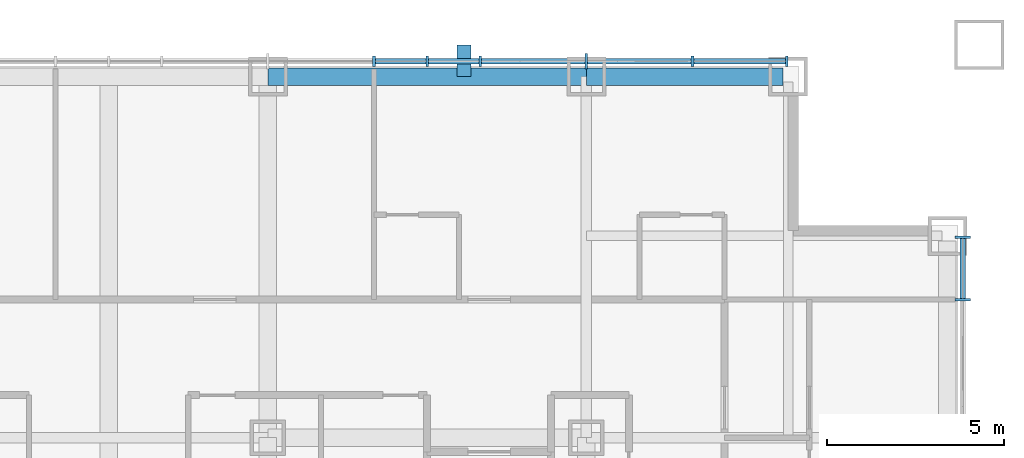
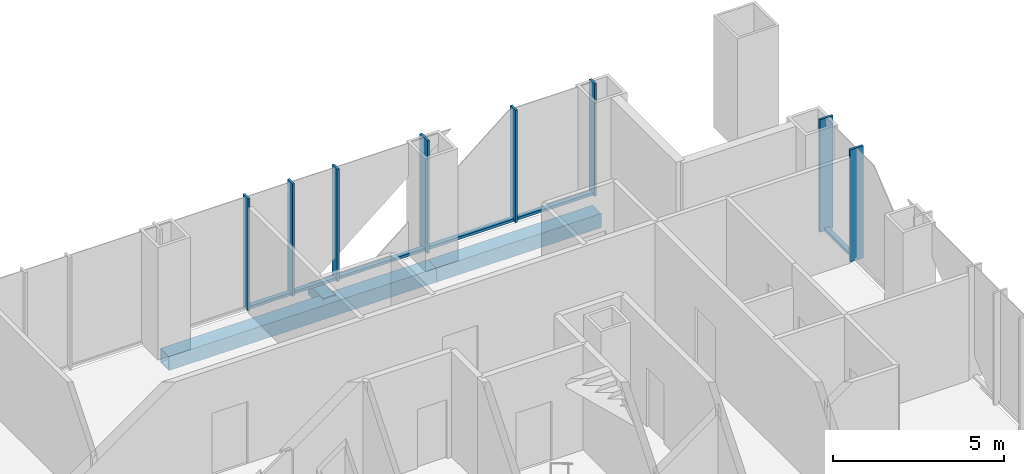
# One storey, part 6 of 14: 15 members, 2 beams, 2 elements without a shape of their own.
"""IFC4 building model written with IfcOpenShell, lengths in metres."""

from ifc_helpers import new_model, si_unit, direction, frame, origin, origin_2d, place, context, subcontext, project, spatial, rectangle, hollow_rectangle, extrude, material, layer, layer_set, material_profile, profile_set, type_object, element, aggregate, save


model = new_model("IFC4")

# Units and contexts
model_context = context("Model", 3, precision=1e-05, world=origin(), true_north=direction((0.0, 1.0)))
body_context = subcontext(model_context, "Body", "Model", "MODEL_VIEW")
ifc_project = project(units=[si_unit("LENGTHUNIT", "METRE"), si_unit("AREAUNIT", "SQUARE_METRE"), si_unit("VOLUMEUNIT", "CUBIC_METRE"), si_unit("PLANEANGLEUNIT", "RADIAN"), si_unit("MASSUNIT", "GRAM", prefix="KILO")], contexts=[model_context])

# Site, building, storey
site_placement = place(None, origin())
site = spatial("IfcSite", under=ifc_project, at=site_placement, CompositionType="ELEMENT")
building_placement = place(site_placement, origin())
building = spatial("IfcBuilding", under=site, at=building_placement, Name="Malebo Sky Hospital", CompositionType="ELEMENT")
storey_placement = place(building_placement, frame((0.0, 0.0, 128.0)))
storey = spatial("IfcBuildingStorey", under=building, at=storey_placement, Name="L30", CompositionType="ELEMENT", Elevation=128.0)

# Curtain wall, members
ifc_material_1 = material(Name="Anodised aluminium, natural silver", Category="aluminium")
ifc_layer_1 = layer(ifc_material_1, 0.25)
ifc_layer_set_1 = layer_set([ifc_layer_1], Name="WARD CURTAIN WALL NORTH AND SOUTH")
curtain_wall_type_1 = type_object("IfcCurtainWallType", Name="WARD CURTAIN WALL NORTH AND SOUTH", PredefinedType="NOTDEFINED", material=ifc_layer_set_1)
curtain_wall_1_placement = place(storey_placement, origin())
curtain_wall_1 = element("IfcCurtainWall", 1, at=curtain_wall_1_placement, inside=storey, type_object=curtain_wall_type_1, Name="NS curtain wall N", PredefinedType="NOTDEFINED")
ifc_material_profile_1 = material_profile(ifc_material_1, rectangle(XDim=0.14990234375, YDim=0.10009765625, at=origin_2d()), Name="ALUMINIUM TRANSOM 150x100")
ifc_profile_set_1 = profile_set([ifc_material_profile_1], Name="Anodised aluminium, natural silver")
member_type_1 = type_object("IfcMemberType", Name="ALUMINIUM TRANSOM 150x100", PredefinedType="USERDEFINED", material=ifc_profile_set_1)
member_1_placement = place(storey_placement, frame((67.53759765625, 86.135009765625, 0.050048828125), z_axis=(1.0, 0.0, 0.0), x_axis=(0.0, 1.0, 0.0)))
member_1 = element("IfcMember", 2, at=member_1_placement, type_object=member_type_1, Name="Transom 12", ObjectType="TRANSOM", PredefinedType="USERDEFINED", context=body_context, shape_type="SweptSolid", body=[
    extrude(rectangle(XDim=0.14990234375, YDim=0.10009765625, at=origin_2d()), origin(), (0.0, 0.0, 1.0), 1.4248046875),
])
member_2_placement = place(storey_placement, frame((69.03759765625, 86.135009765625, 0.050048828125), z_axis=(1.0, 0.0, 0.0), x_axis=(0.0, 1.0, 0.0)))
member_2 = element("IfcMember", 3, at=member_2_placement, type_object=member_type_1, Name="Transom 13", ObjectType="TRANSOM", PredefinedType="USERDEFINED", context=body_context, shape_type="SweptSolid", body=[
    extrude(rectangle(XDim=0.14990234375, YDim=0.10009765625, at=origin_2d()), origin(), (0.0, 0.0, 1.0), 1.4248046875),
])
member_3_placement = place(storey_placement, frame((70.53759765625, 86.135009765625, 0.050048828125), z_axis=(1.0, 0.0, 0.0), x_axis=(0.0, 1.0, 0.0)))
member_3 = element("IfcMember", 4, at=member_3_placement, type_object=member_type_1, Name="Transom 14", ObjectType="TRANSOM", PredefinedType="USERDEFINED", context=body_context, shape_type="SweptSolid", body=[
    extrude(rectangle(XDim=0.14990234375, YDim=0.10009765625, at=origin_2d()), origin(), (0.0, 0.0, 1.0), 2.9248046875),
])
member_4_placement = place(storey_placement, frame((73.53759765625, 86.135009765625, 0.050048828125), z_axis=(1.0, 0.0, 0.0), x_axis=(0.0, 1.0, 0.0)))
member_4 = element("IfcMember", 5, at=member_4_placement, type_object=member_type_1, Name="Transom 15", ObjectType="TRANSOM", PredefinedType="USERDEFINED", context=body_context, shape_type="SweptSolid", body=[
    extrude(rectangle(XDim=0.14990234375, YDim=0.10009765625, at=origin_2d()), origin(), (0.0, 0.0, 1.0), 2.9248046875),
])
member_5_placement = place(storey_placement, frame((76.53759765625, 86.135009765625, 0.050048828125), z_axis=(1.0, 0.0, 0.0), x_axis=(0.0, 1.0, 0.0)))
member_5 = element("IfcMember", 6, at=member_5_placement, type_object=member_type_1, Name="Transom 16", ObjectType="TRANSOM", PredefinedType="USERDEFINED", context=body_context, shape_type="SweptSolid", body=[
    extrude(rectangle(XDim=0.14990234375, YDim=0.10009765625, at=origin_2d()), origin(), (0.0, 0.0, 1.0), 2.58740234375),
])

# Curtain wall, member
ifc_layer_2 = layer(ifc_material_1, 0.25)
ifc_layer_set_2 = layer_set([ifc_layer_2], Name="WARD CURTAIN WALL EAST AND WEST")
curtain_wall_type_2 = type_object("IfcCurtainWallType", Name="WARD CURTAIN WALL EAST AND WEST", PredefinedType="NOTDEFINED", material=ifc_layer_set_2)
curtain_wall_2_placement = place(storey_placement, origin())
curtain_wall_2 = element("IfcCurtainWall", 7, at=curtain_wall_2_placement, inside=storey, type_object=curtain_wall_type_2, Name="EW curtain wall E", PredefinedType="NOTDEFINED")
member_6_placement = place(storey_placement, frame((84.135009765625, 81.125, 0.050048828125), z_axis=(0.0, -1.0, 0.0), x_axis=(1.0, 0.0, 0.0)))
member_6 = element("IfcMember", 8, at=member_6_placement, type_object=member_type_1, Name="Transom 1", ObjectType="TRANSOM", PredefinedType="USERDEFINED", context=body_context, shape_type="SweptSolid", body=[
    extrude(rectangle(XDim=0.14990234375, YDim=0.10009765625, at=origin_2d()), origin(), (0.0, 0.0, 1.0), 1.6875),
])

# Member
ifc_material_2 = material(Name="Steel S355", Category="steel")
ifc_material_profile_2 = material_profile(ifc_material_2, hollow_rectangle(XDim=0.39990234375, YDim=0.39990234375, WallThickness=0.02001953125, at=origin_2d()), Name="SHS 400x20")
ifc_profile_set_2 = profile_set([ifc_material_profile_2], Name="Steel S355")
member_type_2 = type_object("IfcMemberType", Name="BRACE STRUT SHS 400x20", PredefinedType="STRUT", material=ifc_profile_set_2)
member_7_placement = place(storey_placement, frame((70.040283203125, 86.60009765625, -0.39990234375), z_axis=(0.0, -1.0, 0.0), x_axis=(1.0, 0.0, 0.0)))
element("IfcMember", 9, at=member_7_placement, inside=storey, type_object=member_type_2, Name="Brace strut BN2 L30", PredefinedType="STRUT", context=body_context, shape_type="SweptSolid", body=[
    extrude(hollow_rectangle(XDim=0.39990234375, YDim=0.39990234375, WallThickness=0.02001953125, at=origin_2d()), origin(), (0.0, 0.0, 1.0), 0.900146484375),
])

ifc_material_profile_3 = material_profile(ifc_material_1, rectangle(XDim=0.074951171875, YDim=0.300048828125, at=origin_2d()), Name="CW1 ALUMINIUM FIN MULLION 75x300")
ifc_profile_set_3 = profile_set([ifc_material_profile_3], Name="Anodised aluminium, natural silver")
member_type_3 = type_object("IfcMemberType", Name="CW1 ALUMINIUM FIN MULLION 75x300", PredefinedType="MULLION", material=ifc_profile_set_3)
member_8_placement = place(storey_placement, frame((67.5, 86.135009765625, 0.0), z_axis=(0.0, 0.0, 1.0), x_axis=(1.0, 0.0, 0.0)))
member_8 = element("IfcMember", 10, at=member_8_placement, type_object=member_type_3, Name="Fin mullion 12", PredefinedType="MULLION", context=body_context, shape_type="SweptSolid", body=[
    extrude(rectangle(XDim=0.074951171875, YDim=0.300048828125, at=origin_2d()), origin(), (0.0, 0.0, 1.0), 4.0),
])

member_9_placement = place(storey_placement, frame((69.0, 86.135009765625, 0.0), z_axis=(0.0, 0.0, 1.0), x_axis=(1.0, 0.0, 0.0)))
member_9 = element("IfcMember", 11, at=member_9_placement, type_object=member_type_3, Name="Fin mullion 13", PredefinedType="MULLION", context=body_context, shape_type="SweptSolid", body=[
    extrude(rectangle(XDim=0.074951171875, YDim=0.300048828125, at=origin_2d()), origin(), (0.0, 0.0, 1.0), 4.0),
])

member_10_placement = place(storey_placement, frame((70.5, 86.135009765625, 0.0), z_axis=(0.0, 0.0, 1.0), x_axis=(1.0, 0.0, 0.0)))
member_10 = element("IfcMember", 12, at=member_10_placement, type_object=member_type_3, Name="Fin mullion 14", PredefinedType="MULLION", context=body_context, shape_type="SweptSolid", body=[
    extrude(rectangle(XDim=0.074951171875, YDim=0.300048828125, at=origin_2d()), origin(), (0.0, 0.0, 1.0), 4.0),
])

member_11_placement = place(storey_placement, frame((76.5, 86.135009765625, 0.0), z_axis=(0.0, 0.0, 1.0), x_axis=(1.0, 0.0, 0.0)))
member_11 = element("IfcMember", 13, at=member_11_placement, type_object=member_type_3, Name="Fin mullion 16", PredefinedType="MULLION", context=body_context, shape_type="SweptSolid", body=[
    extrude(rectangle(XDim=0.074951171875, YDim=0.300048828125, at=origin_2d()), origin(), (0.0, 0.0, 1.0), 4.0),
])

member_12_placement = place(storey_placement, frame((79.16259765625, 86.135009765625, 0.0), z_axis=(0.0, 0.0, 1.0), x_axis=(1.0, 0.0, 0.0)))
member_12 = element("IfcMember", 14, at=member_12_placement, type_object=member_type_3, Name="Fin mullion 17", PredefinedType="MULLION", context=body_context, shape_type="SweptSolid", body=[
    extrude(rectangle(XDim=0.074951171875, YDim=0.300048828125, at=origin_2d()), origin(), (0.0, 0.0, 1.0), 4.0),
])

ifc_material_profile_4 = material_profile(ifc_material_1, rectangle(XDim=0.074951171875, YDim=0.449951171875, at=origin_2d()), Name="CW1 ALUMINIUM FIN MULLION 75x450")
ifc_profile_set_4 = profile_set([ifc_material_profile_4], Name="Anodised aluminium, natural silver")
member_type_4 = type_object("IfcMemberType", Name="CW1 ALUMINIUM FIN MULLION 75x450", PredefinedType="MULLION", material=ifc_profile_set_4)
member_13_placement = place(storey_placement, frame((73.5, 86.135009765625, 0.0), z_axis=(0.0, 0.0, 1.0), x_axis=(1.0, 0.0, 0.0)))
member_13 = element("IfcMember", 15, at=member_13_placement, type_object=member_type_4, Name="Fin mullion 15", PredefinedType="MULLION", context=body_context, shape_type="SweptSolid", body=[
    extrude(rectangle(XDim=0.074951171875, YDim=0.449951171875, at=origin_2d()), origin(), (0.0, 0.0, 1.0), 4.0),
])

aggregate(curtain_wall_1, [member_8, member_9, member_10, member_13, member_11, member_12, member_1, member_2, member_3, member_4, member_5])

ifc_material_profile_5 = material_profile(ifc_material_1, rectangle(XDim=0.074951171875, YDim=0.449951171875, at=origin_2d()), Name="CW2 ALUMINIUM FIN MULLION 75x450")
ifc_profile_set_5 = profile_set([ifc_material_profile_5], Name="Anodised aluminium, natural silver")
member_type_5 = type_object("IfcMemberType", Name="CW2 ALUMINIUM FIN MULLION 75x450", PredefinedType="MULLION", material=ifc_profile_set_5)
member_14_placement = place(storey_placement, frame((84.135009765625, 81.16259765625, 0.0), z_axis=(0.0, 0.0, 1.0), x_axis=(0.0, -1.0, 0.0)))
member_14 = element("IfcMember", 16, at=member_14_placement, type_object=member_type_5, Name="Fin mullion 1", PredefinedType="MULLION", context=body_context, shape_type="SweptSolid", body=[
    extrude(rectangle(XDim=0.074951171875, YDim=0.449951171875, at=origin_2d()), origin(), (0.0, 0.0, 1.0), 4.0),
])

member_15_placement = place(storey_placement, frame((84.135009765625, 79.39990234375, 0.0), z_axis=(0.0, 0.0, 1.0), x_axis=(0.0, -1.0, 0.0)))
member_15 = element("IfcMember", 17, at=member_15_placement, type_object=member_type_5, Name="Fin mullion 2", PredefinedType="MULLION", context=body_context, shape_type="SweptSolid", body=[
    extrude(rectangle(XDim=0.074951171875, YDim=0.449951171875, at=origin_2d()), origin(), (0.0, 0.0, 1.0), 4.0),
])

aggregate(curtain_wall_2, [member_14, member_15, member_6])

# Beams
ifc_material_3 = material(Name="Steel S460", Category="steel")
ifc_material_profile_6 = material_profile(ifc_material_3, hollow_rectangle(XDim=0.5, YDim=0.5, WallThickness=0.030029296875, at=origin_2d()), Name="BOX 500x500x30")
ifc_profile_set_6 = profile_set([ifc_material_profile_6], Name="Steel S460")
beam_type = type_object("IfcBeamType", Name="EDGE BEAM BOX 500x500x30", PredefinedType="BEAM", material=ifc_profile_set_6)
beam_1_placement = place(storey_placement, frame((64.5, 85.699951171875, -0.5), z_axis=(1.0, 0.0, 0.0), x_axis=(0.0, 1.0, 0.0)))
element("IfcBeam", 18, at=beam_1_placement, inside=storey, type_object=beam_type, Name="Beam 066 L30", PredefinedType="BEAM", context=body_context, shape_type="SweptSolid", body=[
    extrude(hollow_rectangle(XDim=0.5, YDim=0.5, WallThickness=0.030029296875, at=origin_2d()), origin(), (0.0, 0.0, 1.0), 9.0),
])
beam_2_placement = place(storey_placement, frame((73.5, 85.699951171875, -0.5), z_axis=(1.0, 0.0, 0.0), x_axis=(0.0, 1.0, 0.0)))
element("IfcBeam", 19, at=beam_2_placement, inside=storey, type_object=beam_type, Name="Beam 067 L30", PredefinedType="BEAM", context=body_context, shape_type="SweptSolid", body=[
    extrude(hollow_rectangle(XDim=0.5, YDim=0.5, WallThickness=0.030029296875, at=origin_2d()), origin(), (0.0, 0.0, 1.0), 5.550048828125),
])

save(model, "model.ifc")
